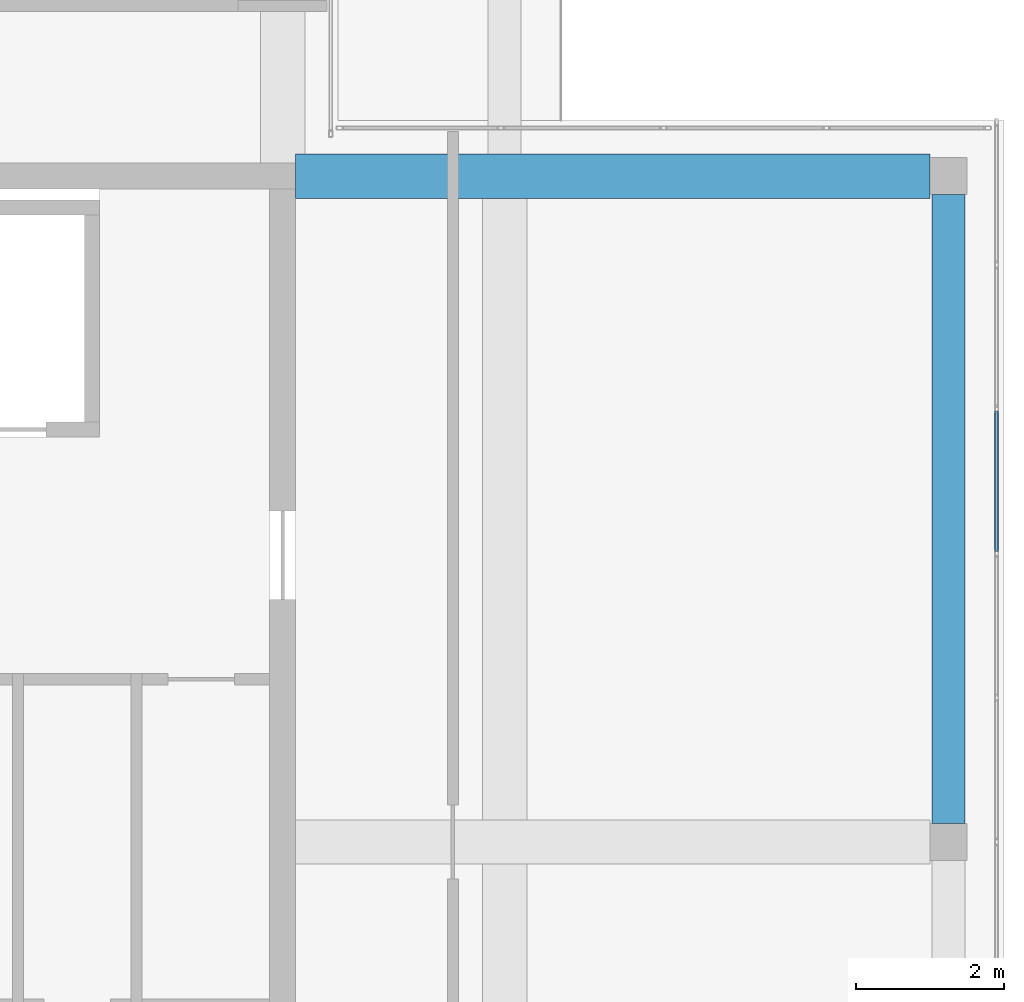
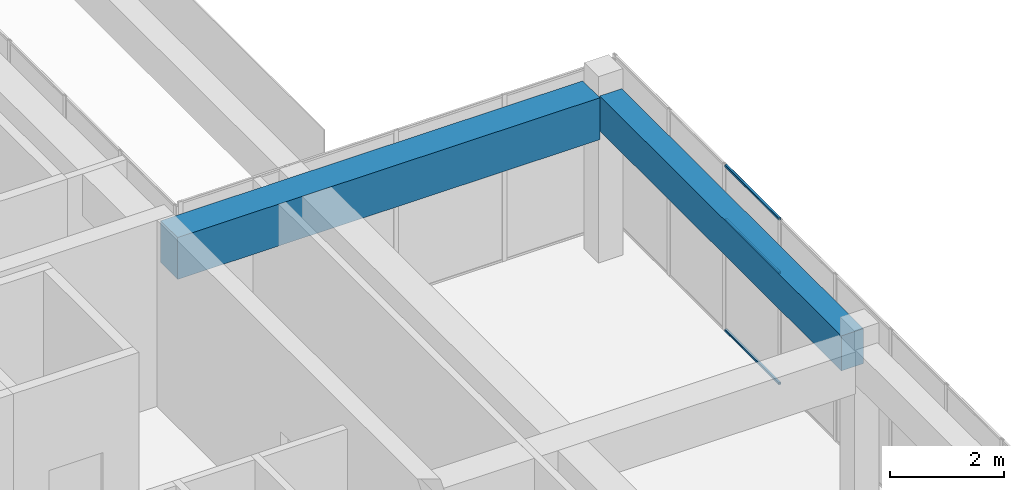
# One storey, part 19 of 36: 3 members, 2 beams, 1 element without a shape of its own.
"""IFC4 building model written with IfcOpenShell, lengths in metres."""

from ifc_helpers import new_model, si_unit, direction, frame, origin, origin_2d, place, context, subcontext, project, spatial, rectangle, hollow_rectangle, extrude, material, layer, layer_set, material_profile, profile_set, type_object, element, aggregate, save


model = new_model("IFC4")

# Units and contexts
model_context = context("Model", 3, precision=1e-05, world=origin(), true_north=direction((0.0, 1.0)))
body_context = subcontext(model_context, "Body", "Model", "MODEL_VIEW")
ifc_project = project(units=[si_unit("LENGTHUNIT", "METRE"), si_unit("AREAUNIT", "SQUARE_METRE"), si_unit("VOLUMEUNIT", "CUBIC_METRE"), si_unit("PLANEANGLEUNIT", "RADIAN"), si_unit("MASSUNIT", "GRAM", prefix="KILO")], contexts=[model_context])

# Site, building, storey
site_placement = place(None, origin())
site = spatial("IfcSite", under=ifc_project, at=site_placement, CompositionType="ELEMENT")
building_placement = place(site_placement, origin())
building = spatial("IfcBuilding", under=site, at=building_placement, Name="Tuart Plaza Theatre", CompositionType="ELEMENT")
storey_placement = place(building_placement, frame((0.0, 0.0, 61.5)))
storey = spatial("IfcBuildingStorey", under=building, at=storey_placement, Name="L15", CompositionType="ELEMENT", Elevation=61.5)

# Beams
ifc_material_1 = material(Name="Concrete N40 (40 MPa)", Category="concrete")
ifc_material_profile_1 = material_profile(ifc_material_1, rectangle(XDim=0.449951171875, YDim=0.75, at=origin_2d()), Name="BEAM 450x750 Concrete N40 (40 MPa)")
ifc_profile_set_1 = profile_set([ifc_material_profile_1], Name="Concrete N40 (40 MPa)")
beam_type_1 = type_object("IfcBeamType", Name="BEAM 450x750 Concrete N40 (40 MPa)", PredefinedType="BEAM", material=ifc_profile_set_1)
beam_1_placement = place(storey_placement, frame((150.0, 74.25, 3.205078125), z_axis=(0.0, 1.0, 0.0), x_axis=(-1.0, 0.0, 0.0)))
element("IfcBeam", 1, at=beam_1_placement, inside=storey, type_object=beam_type_1, Name="RB346", PredefinedType="BEAM", context=body_context, shape_type="SweptSolid", body=[
    extrude(rectangle(XDim=0.449951171875, YDim=0.75, at=origin_2d()), origin(), (0.0, 0.0, 1.0), 8.5),
])
ifc_material_2 = material(Name="Concrete N40 (40 MPa)", Category="concrete")
ifc_material_profile_2 = material_profile(ifc_material_2, rectangle(XDim=0.60009765625, YDim=0.89990234375, at=origin_2d()), Name="BEAM 600x900 Concrete N40 (40 MPa)")
ifc_profile_set_2 = profile_set([ifc_material_profile_2], Name="Concrete N40 (40 MPa)")
beam_type_2 = type_object("IfcBeamType", Name="BEAM 600x900 Concrete N40 (40 MPa)", PredefinedType="BEAM", material=ifc_profile_set_2)
beam_2_placement = place(storey_placement, frame((141.175048828125, 83.0, 3.1298828125), z_axis=(1.0, 0.0, 0.0), x_axis=(0.0, 1.0, 0.0)))
element("IfcBeam", 2, at=beam_2_placement, inside=storey, type_object=beam_type_2, Name="RB344", PredefinedType="BEAM", context=body_context, shape_type="SweptSolid", body=[
    extrude(rectangle(XDim=0.60009765625, YDim=0.89990234375, at=origin_2d()), origin(), (0.0, 0.0, 1.0), 8.574951171875),
])

# Curtain wall, members
ifc_material_3 = material(Name="Aluminium and glass", Category="aluminium")
ifc_layer = layer(ifc_material_3, 0.10009765625)
ifc_layer_set = layer_set([ifc_layer], Name="CURTAIN WALL 2000 module")
curtain_wall_type = type_object("IfcCurtainWallType", Name="CURTAIN WALL 2000 module", PredefinedType="NOTDEFINED", material=ifc_layer_set)
curtain_wall_placement = place(storey_placement, origin())
curtain_wall = element("IfcCurtainWall", 3, at=curtain_wall_placement, inside=storey, type_object=curtain_wall_type, Name="CW114", PredefinedType="NOTDEFINED")
ifc_material_4 = material(Name="Aluminium 6063-T5", Category="aluminium")
ifc_material_profile_3 = material_profile(ifc_material_4, hollow_rectangle(XDim=0.050048828125, YDim=0.050048828125, WallThickness=0.00390625, InnerFilletRadius=0.00390625, OuterFilletRadius=0.008056640625, at=origin_2d()), Name="RHS 50x50x4")
ifc_profile_set_3 = profile_set([ifc_material_profile_3], Name="Aluminium 6063-T5")
member_type = type_object("IfcMemberType", Name="TRANSOM RHS 50x50x4", PredefinedType="USERDEFINED", material=ifc_profile_set_3)
member_1_placement = place(storey_placement, frame((150.64990234375, 77.925048828125, 0.02490234375), z_axis=(0.0, 1.0, 0.0), x_axis=(-1.0, 0.0, 0.0)))
member_1 = element("IfcMember", 4, at=member_1_placement, type_object=member_type, Name="CW114 transom 8.1", ObjectType="TRANSOM", PredefinedType="USERDEFINED", context=body_context, shape_type="SweptSolid", body=[
    extrude(hollow_rectangle(XDim=0.050048828125, YDim=0.050048828125, WallThickness=0.00390625, InnerFilletRadius=0.00390625, OuterFilletRadius=0.008056640625, at=origin_2d()), origin(), (0.0, 0.0, 1.0), 1.89990234375),
])
member_2_placement = place(storey_placement, frame((150.64990234375, 77.925048828125, 2.39990234375), z_axis=(0.0, 1.0, 0.0), x_axis=(-1.0, 0.0, 0.0)))
member_2 = element("IfcMember", 5, at=member_2_placement, type_object=member_type, Name="CW114 transom 8.2", ObjectType="TRANSOM", PredefinedType="USERDEFINED", context=body_context, shape_type="SweptSolid", body=[
    extrude(hollow_rectangle(XDim=0.050048828125, YDim=0.050048828125, WallThickness=0.00390625, InnerFilletRadius=0.00390625, OuterFilletRadius=0.008056640625, at=origin_2d()), origin(), (0.0, 0.0, 1.0), 1.89990234375),
])
member_3_placement = place(storey_placement, frame((150.64990234375, 77.925048828125, 3.554931640625), z_axis=(0.0, 1.0, 0.0), x_axis=(-1.0, 0.0, 0.0)))
member_3 = element("IfcMember", 6, at=member_3_placement, type_object=member_type, Name="CW114 transom 8.3", ObjectType="TRANSOM", PredefinedType="USERDEFINED", context=body_context, shape_type="SweptSolid", body=[
    extrude(hollow_rectangle(XDim=0.050048828125, YDim=0.050048828125, WallThickness=0.00390625, InnerFilletRadius=0.00390625, OuterFilletRadius=0.008056640625, at=origin_2d()), origin(), (0.0, 0.0, 1.0), 1.89990234375),
])
aggregate(curtain_wall, [member_1, member_2, member_3])

save(model, "model.ifc")
